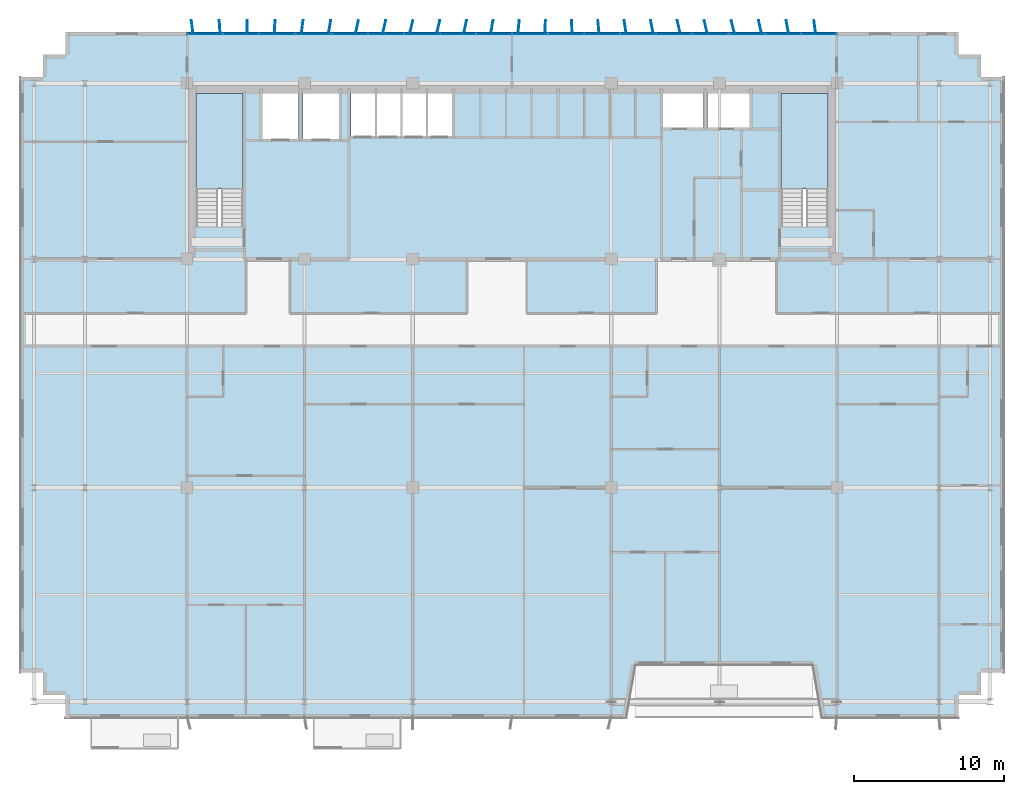
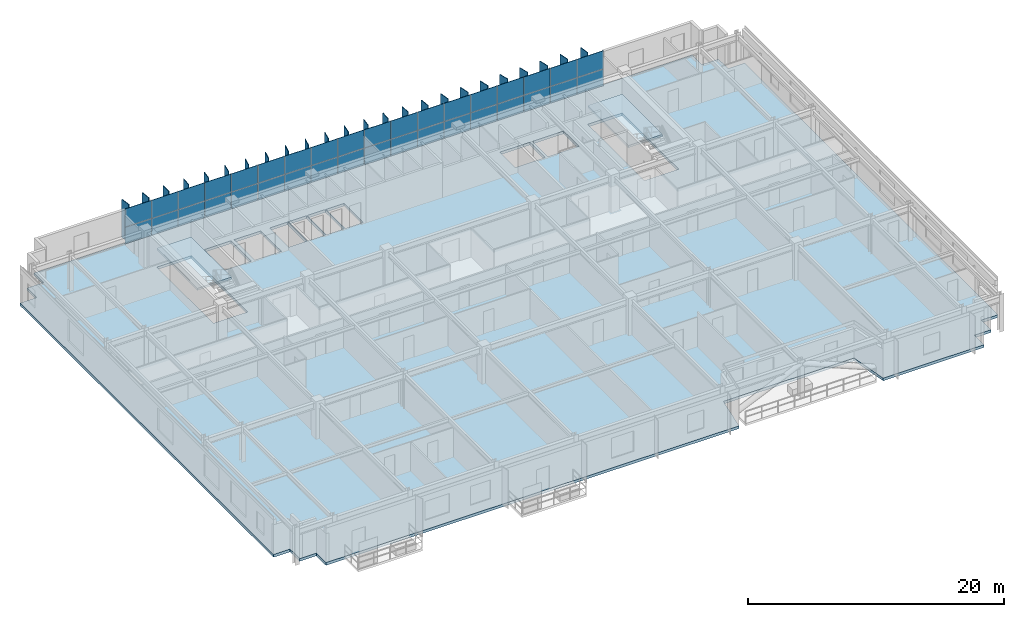
# One storey, part 13 of 22: 60 plates, 3 slabs, 3 elements without a shape of their own.
"""IFC4 building model written with IfcOpenShell, lengths in metres."""

from ifc_helpers import new_model, si_unit, direction, frame, origin, origin_2d, place, context, subcontext, project, spatial, polyline, rectangle, outline, extrude, source, transform, mapped, material, layer, layer_set, type_object, element, aggregate, save


model = new_model("IFC4")

# Units and contexts
model_context = context("Model", 3, precision=1e-05, world=origin(), true_north=direction((0.0, 1.0)))
body_context = subcontext(model_context, "Body", "Model", "MODEL_VIEW")
ifc_project = project(units=[si_unit("LENGTHUNIT", "METRE"), si_unit("AREAUNIT", "SQUARE_METRE"), si_unit("VOLUMEUNIT", "CUBIC_METRE"), si_unit("PLANEANGLEUNIT", "RADIAN"), si_unit("MASSUNIT", "GRAM", prefix="KILO")], contexts=[model_context])

# Site, building, storey
site_placement = place(None, origin())
site = spatial("IfcSite", under=ifc_project, at=site_placement, CompositionType="ELEMENT")
building_placement = place(site_placement, origin())
building = spatial("IfcBuilding", under=site, at=building_placement, Name="Trelvane Seafront Commons", CompositionType="ELEMENT")
storey_placement = place(building_placement, frame((0.0, 0.0, 121.300048828125)))
storey = spatial("IfcBuildingStorey", under=building, at=storey_placement, Name="L31", CompositionType="ELEMENT", Elevation=121.300048828125)

# Stair, slab
ifc_material_1 = material(Name="Concrete C40/50", Category="concrete")
stair_type_1 = type_object("IfcStairType", Name="ARCH-STR-ST-1-R20-180", PredefinedType="HALF_TURN_STAIR", material=ifc_material_1)
stair_1_placement = place(storey_placement, origin())
stair_1 = element("IfcStair", 1, at=stair_1_placement, inside=storey, type_object=stair_type_1, Name="L31 West Protected Firefighting Exit Stair ST-1", PredefinedType="HALF_TURN_STAIR")
ifc_layer_1 = layer(ifc_material_1, 0.199951171875, Name="ARCH-LND-200")
ifc_layer_set_1 = layer_set([ifc_layer_1], Name="Concrete C40/50")
slab_type_1 = type_object("IfcSlabType", Name="ARCH-LND-200", PredefinedType="LANDING", material=ifc_layer_set_1)
slab_1_placement = place(storey_placement, frame((0.0, 0.0, 1.599853515625)))
slab_1 = element("IfcSlab", 2, at=slab_1_placement, type_object=slab_type_1, Name="ST-1 landing 1", PredefinedType="LANDING", context=body_context, shape_type="SweptSolid", body=[
    extrude(outline(polyline([(19.300048828125, 38.070068359375), (19.300048828125, 44.39990234375), (16.199951171875, 44.39990234375), (16.199951171875, 38.070068359375), (19.300048828125, 38.070068359375)])), origin(), (0.0, 0.0, 1.0), 0.2001953125),
])
aggregate(stair_1, [slab_1])

stair_type_2 = type_object("IfcStairType", Name="ARCH-STR-ST-2-R20-180", PredefinedType="HALF_TURN_STAIR", material=ifc_material_1)
stair_2_placement = place(storey_placement, origin())
stair_2 = element("IfcStair", 3, at=stair_2_placement, inside=storey, type_object=stair_type_2, Name="L31 East Protected Firefighting Exit Stair ST-2", PredefinedType="HALF_TURN_STAIR")
slab_2_placement = place(storey_placement, frame((0.0, 0.0, 1.599853515625)))
slab_2 = element("IfcSlab", 4, at=slab_2_placement, type_object=slab_type_1, Name="ST-2 landing 1", PredefinedType="LANDING", context=body_context, shape_type="SweptSolid", body=[
    extrude(outline(polyline([(58.199951171875, 38.070068359375), (58.199951171875, 44.39990234375), (55.10009765625, 44.39990234375), (55.10009765625, 38.070068359375), (58.199951171875, 38.070068359375)])), origin(), (0.0, 0.0, 1.0), 0.2001953125),
])
aggregate(stair_2, [slab_2])

# Slab
ifc_material_2 = material(Name="Concrete C50/60", Category="concrete")
ifc_layer_2 = layer(ifc_material_2, 0.260009765625, Name="STR-SLB-Z1-260")
ifc_layer_set_2 = layer_set([ifc_layer_2], Name="Concrete C50/60")
slab_type_2 = type_object("IfcSlabType", Name="STR-SLB-Z1-260", PredefinedType="FLOOR", material=ifc_layer_set_2)
slab_3_placement = place(storey_placement, frame((0.0, 0.0, -0.260009765625)))
element("IfcSlab", 5, at=slab_3_placement, inside=storey, type_object=slab_type_2, Name="L31 Structural Floor Slab", PredefinedType="FLOOR", context=body_context, shape_type="SweptSolid", body=[
    extrude(outline(polyline([(7.5, 2.89990234375), (44.800048828125, 2.89990234375), (45.39990234375, 6.39990234375), (57.199951171875, 6.39990234375), (57.800048828125, 2.89990234375), (66.89990234375, 2.89990234375), (66.89990234375, 4.39990234375), (68.39990234375, 4.39990234375), (68.39990234375, 5.89990234375), (69.89990234375, 5.89990234375), (69.89990234375, 45.5), (68.39990234375, 45.5), (68.39990234375, 47.0), (66.89990234375, 47.0), (66.89990234375, 48.5), (7.5, 48.5), (7.5, 47.0), (6.0, 47.0), (6.0, 45.5), (4.5, 45.5), (4.5, 5.89990234375), (6.0, 5.89990234375), (6.0, 4.39990234375), (7.5, 4.39990234375), (7.5, 2.89990234375)]), holes=[polyline([(19.300048828125, 35.550048828125), (16.199951171875, 35.550048828125), (16.199951171875, 44.39990234375), (19.300048828125, 44.39990234375), (19.300048828125, 35.550048828125)]), polyline([(58.199951171875, 35.550048828125), (55.10009765625, 35.550048828125), (55.10009765625, 44.39990234375), (58.199951171875, 44.39990234375), (58.199951171875, 35.550048828125)]), polyline([(23.0, 41.39990234375), (20.60009765625, 41.39990234375), (20.60009765625, 44.60009765625), (23.0, 44.60009765625), (23.0, 41.39990234375)]), polyline([(23.300048828125, 41.39990234375), (23.300048828125, 44.60009765625), (25.699951171875, 44.60009765625), (25.699951171875, 41.39990234375), (23.300048828125, 41.39990234375)]), polyline([(26.5, 41.60009765625), (26.5, 44.60009765625), (28.1201171875, 44.60009765625), (28.1201171875, 41.60009765625), (26.5, 41.60009765625)]), polyline([(29.820068359375, 41.60009765625), (28.199951171875, 41.60009765625), (28.199951171875, 44.60009765625), (29.820068359375, 44.60009765625), (29.820068359375, 41.60009765625)]), polyline([(31.52001953125, 41.60009765625), (29.89990234375, 41.60009765625), (29.89990234375, 44.60009765625), (31.52001953125, 44.60009765625), (31.52001953125, 41.60009765625)]), polyline([(33.219970703125, 41.60009765625), (31.60009765625, 41.60009765625), (31.60009765625, 44.60009765625), (33.219970703125, 44.60009765625), (33.219970703125, 41.60009765625)]), polyline([(47.25, 42.14990234375), (47.25, 44.550048828125), (49.949951171875, 44.550048828125), (49.949951171875, 42.14990234375), (47.25, 42.14990234375)]), polyline([(50.199951171875, 42.14990234375), (50.199951171875, 44.550048828125), (53.0, 44.550048828125), (53.0, 42.14990234375), (50.199951171875, 42.14990234375)])]), origin(), (0.0, 0.0, 1.0), 0.260009765625),
])

# Plates
ifc_material_3 = material(Name="Anodised pale-silver aluminium", Category="aluminium")
ifc_layer_3 = layer(ifc_material_3, 0.06005859375, Name="ARCH-PLATE-FIN900")
ifc_layer_set_3 = layer_set([ifc_layer_3], Name="Anodised pale-silver aluminium")
plate_type_1 = type_object("IfcPlateType", Name="ARCH-PLATE-FIN900", PredefinedType="USERDEFINED", material=ifc_layer_set_3)
shared_shape_1 = source(origin(), body_context, "Body", "SweptSolid", [
    extrude(rectangle(XDim=0.89990234375, YDim=0.06005859375, at=origin_2d()), origin(), (0.0, 0.0, 1.0), 3.639892578125),
])
for number, where, z_axis, x_axis, name in (
    (6, (17.7685546875, 48.848876953125, -0.02001953125), (0.0, 0.0, 1.0), (-0.069779107736, 0.997562467279, 0.0), "FIN-L31-00813"),
    (7, (19.59814453125, 48.85009765625, -0.02001953125), (0.0, 0.0, 1.0), (-0.004110238815, 0.999991552933, 0.0), "FIN-L31-00814"),
    (8, (21.427734375, 48.84912109375, -0.02001953125), (0.0, 0.0, 1.0), (0.061886455451, 0.998083196248, 0.0), "FIN-L31-00815"),
    (9, (23.25537109375, 48.8466796875, -0.02001953125), (0.0, 0.0, 1.0), (0.123104392765, 0.992393726543, 0.0), "FIN-L31-00816"),
    (10, (25.07861328125, 48.843017578125, -0.02001953125), (0.0, 0.0, 1.0), (0.174894178306, 0.984587236559, 0.0), "FIN-L31-00817"),
    (11, (26.89599609375, 48.839599609375, -0.02001953125), (0.0, 0.0, 1.0), (0.213328797922, 0.976980462434, 0.0), "FIN-L31-00818"),
    (12, (28.706298828125, 48.83740234375, -0.02001953125), (0.0, 0.0, 1.0), (0.236098764093, 0.971729063882, 0.0), "FIN-L31-00819"),
    (13, (30.5087890625, 48.836669921875, -0.02001953125), (0.0, 0.0, 1.0), (0.24156794104, 0.970383908493, 0.0), "FIN-L31-00820"),
    (14, (32.30322265625, 48.837890625, -0.02001953125), (0.0, 0.0, 1.0), (0.229546945315, 0.973297590615, 0.0), "FIN-L31-00821"),
    (15, (34.090087890625, 48.8408203125, -0.02001953125), (0.0, 0.0, 1.0), (0.20055814974, 0.979681799654, 0.0), "FIN-L31-00822"),
    (16, (35.87060546875, 48.844482421875, -0.02001953125), (0.0, 0.0, 1.0), (0.156663731723, 0.987652001042, 0.0), "FIN-L31-00823"),
    (17, (37.6455078125, 48.84765625, -0.02001953125), (0.0, 0.0, 1.0), (0.100889601902, 0.994897627009, 0.0), "FIN-L31-00824"),
    (18, (39.416748046875, 48.849609375, -0.02001953125), (0.0, 0.0, 1.0), (0.03733264199, 0.999302893943, 0.0), "FIN-L31-00825"),
    (19, (41.186767578125, 48.849853515625, -0.02001953125), (0.0, 0.0, 1.0), (-0.029223122675, 0.999572913349, 0.0), "FIN-L31-00826"),
    (20, (42.9580078125, 48.84814453125, -0.02001953125), (0.0, 0.0, 1.0), (-0.0934410602, 0.995624813004, 0.0), "FIN-L31-00827"),
    (21, (44.732421875, 48.844970703125, -0.02001953125), (0.0, 0.0, 1.0), (-0.150437824963, 0.988619472204, 0.0), "FIN-L31-00828"),
    (22, (48.2978515625, 48.83837890625, -0.02001953125), (0.0, 0.0, 1.0), (-0.226896087135, 0.973918972832, 0.0), "FIN-L31-00830"),
    (23, (51.89306640625, 48.837158203125, -0.02001953125), (0.0, 0.0, 1.0), (-0.237774047557, 0.971320494126, 0.0), "FIN-L31-00832"),
    (24, (53.702392578125, 48.839111328125, -0.02001953125), (0.0, 0.0, 1.0), (-0.217119440635, 0.976145044805, 0.0), "FIN-L31-00833"),
    (25, (55.518798828125, 48.842529296875, -0.02001953125), (0.0, 0.0, 1.0), (-0.18034232676, 0.983603906651, 0.0), "FIN-L31-00834"),
):
    element("IfcPlate", number, at=place(storey_placement, frame(where, z_axis=z_axis, x_axis=x_axis)), inside=storey, type_object=plate_type_1, Name=name, ObjectType="FIN", PredefinedType="USERDEFINED", context=body_context, shape_type="MappedRepresentation", body=[
        mapped(shared_shape_1, transform((0.0, 0.0, 0.0), x_axis=(1.0, 0.0, 0.0), y_axis=(0.0, 1.0, 0.0), z_axis=(0.0, 0.0, 1.0), scale=1.0)),
    ])
shared_shape_2 = source(origin(), body_context, "Body", "SweptSolid", [
    extrude(rectangle(XDim=0.900146484375, YDim=0.06005859375, at=origin_2d()), origin(), (0.0, 0.0, 1.0), 3.639892578125),
])
for number, where, z_axis, x_axis, name in (
    (26, (15.94140625, 48.84619140625, -0.02001953125), (0.0, 0.0, 1.0), (-0.130103963354, 0.991500357398, 0.0), "FIN-L31-00812"),
    (27, (46.51171875, 48.84130859375, -0.02001953125), (0.0, 0.0, 1.0), (-0.195987219961, 0.980606449913, 0.0), "FIN-L31-00829"),
    (28, (50.091552734375, 48.836669921875, -0.02001953125), (0.0, 0.0, 1.0), (-0.241097080864, 0.970501003399, 0.0), "FIN-L31-00831"),
    (29, (57.34130859375, 48.84619140625, -0.02001953125), (0.0, 0.0, 1.0), (-0.130103963354, 0.991500357398, 0.0), "FIN-L31-00835"),
):
    element("IfcPlate", number, at=place(storey_placement, frame(where, z_axis=z_axis, x_axis=x_axis)), inside=storey, type_object=plate_type_1, Name=name, ObjectType="FIN", PredefinedType="USERDEFINED", context=body_context, shape_type="MappedRepresentation", body=[
        mapped(shared_shape_2, transform((0.0, 0.0, 0.0), x_axis=(1.0, 0.0, 0.0), y_axis=(0.0, 1.0, 0.0), z_axis=(0.0, 0.0, 1.0), scale=1.0)),
    ])

# Curtain wall, plates
curtain_wall_type = type_object("IfcCurtainWallType", Name="ARCH-CW4-SKYLOBBY", PredefinedType="NOTDEFINED", material=ifc_material_3)
curtain_wall_placement = place(storey_placement, origin())
curtain_wall = element("IfcCurtainWall", 30, at=curtain_wall_placement, inside=storey, type_object=curtain_wall_type, Name="CW-L31-0056", PredefinedType="NOTDEFINED")
ifc_material_4 = material(Name="Low-E coastal double glazing", Category="glass")
ifc_layer_4 = layer(ifc_material_4, 0.033935546875, Name="ARCH-CW-GLAZ-34")
ifc_layer_set_4 = layer_set([ifc_layer_4], Name="Low-E coastal double glazing")
plate_type_2 = type_object("IfcPlateType", Name="ARCH-CW-GLAZ-34", PredefinedType="CURTAIN_PANEL", material=ifc_layer_set_4)
shared_shape_3 = source(origin(), body_context, "Body", "SweptSolid", [
    extrude(rectangle(XDim=2.3759765625, YDim=0.0400390625, at=origin_2d()), origin(), (0.0, 0.0, 1.0), 1.5849609375),
])
plate_1_placement = place(storey_placement, frame((16.800048828125, 48.3701171875, 0.0), z_axis=(0.0, 0.0, 1.0), x_axis=(1.0, 0.0, 0.0)))
plate_1 = element("IfcPlate", 31, at=plate_1_placement, type_object=plate_type_2, Name="CW-L31-0056-P00-1", PredefinedType="CURTAIN_PANEL", context=body_context, shape_type="MappedRepresentation", body=[
    mapped(shared_shape_3, transform((0.0, 0.0, 0.0), x_axis=(1.0, 0.0, 0.0), y_axis=(0.0, 1.0, 0.0), z_axis=(0.0, 0.0, 1.0), scale=1.0)),
])
plate_2_placement = place(storey_placement, frame((19.199951171875, 48.3701171875, 0.0), z_axis=(0.0, 0.0, 1.0), x_axis=(1.0, 0.0, 0.0)))
plate_2 = element("IfcPlate", 32, at=plate_2_placement, type_object=plate_type_2, Name="CW-L31-0056-P01-1", PredefinedType="CURTAIN_PANEL", context=body_context, shape_type="MappedRepresentation", body=[
    mapped(shared_shape_3, transform((0.0, 0.0, 0.0), x_axis=(1.0, 0.0, 0.0), y_axis=(0.0, 1.0, 0.0), z_axis=(0.0, 0.0, 1.0), scale=1.0)),
])
plate_3_placement = place(storey_placement, frame((21.60009765625, 48.3701171875, 0.0), z_axis=(0.0, 0.0, 1.0), x_axis=(1.0, 0.0, 0.0)))
plate_3 = element("IfcPlate", 33, at=plate_3_placement, type_object=plate_type_2, Name="CW-L31-0056-P02-1", PredefinedType="CURTAIN_PANEL", context=body_context, shape_type="MappedRepresentation", body=[
    mapped(shared_shape_3, transform((0.0, 0.0, 0.0), x_axis=(1.0, 0.0, 0.0), y_axis=(0.0, 1.0, 0.0), z_axis=(0.0, 0.0, 1.0), scale=1.0)),
])
plate_4_placement = place(storey_placement, frame((24.0, 48.3701171875, 0.0), z_axis=(0.0, 0.0, 1.0), x_axis=(1.0, 0.0, 0.0)))
plate_4 = element("IfcPlate", 34, at=plate_4_placement, type_object=plate_type_2, Name="CW-L31-0056-P03-1", PredefinedType="CURTAIN_PANEL", context=body_context, shape_type="MappedRepresentation", body=[
    mapped(shared_shape_3, transform((0.0, 0.0, 0.0), x_axis=(1.0, 0.0, 0.0), y_axis=(0.0, 1.0, 0.0), z_axis=(0.0, 0.0, 1.0), scale=1.0)),
])
plate_5_placement = place(storey_placement, frame((26.39990234375, 48.3701171875, 0.0), z_axis=(0.0, 0.0, 1.0), x_axis=(1.0, 0.0, 0.0)))
plate_5 = element("IfcPlate", 35, at=plate_5_placement, type_object=plate_type_2, Name="CW-L31-0056-P04-1", PredefinedType="CURTAIN_PANEL", context=body_context, shape_type="MappedRepresentation", body=[
    mapped(shared_shape_3, transform((0.0, 0.0, 0.0), x_axis=(1.0, 0.0, 0.0), y_axis=(0.0, 1.0, 0.0), z_axis=(0.0, 0.0, 1.0), scale=1.0)),
])
plate_6_placement = place(storey_placement, frame((28.800048828125, 48.3701171875, 0.0), z_axis=(0.0, 0.0, 1.0), x_axis=(1.0, 0.0, 0.0)))
plate_6 = element("IfcPlate", 36, at=plate_6_placement, type_object=plate_type_2, Name="CW-L31-0056-P05-1", PredefinedType="CURTAIN_PANEL", context=body_context, shape_type="MappedRepresentation", body=[
    mapped(shared_shape_3, transform((0.0, 0.0, 0.0), x_axis=(1.0, 0.0, 0.0), y_axis=(0.0, 1.0, 0.0), z_axis=(0.0, 0.0, 1.0), scale=1.0)),
])
plate_7_placement = place(storey_placement, frame((31.199951171875, 48.3701171875, 0.0), z_axis=(0.0, 0.0, 1.0), x_axis=(1.0, 0.0, 0.0)))
plate_7 = element("IfcPlate", 37, at=plate_7_placement, type_object=plate_type_2, Name="CW-L31-0056-P06-1", PredefinedType="CURTAIN_PANEL", context=body_context, shape_type="MappedRepresentation", body=[
    mapped(shared_shape_3, transform((0.0, 0.0, 0.0), x_axis=(1.0, 0.0, 0.0), y_axis=(0.0, 1.0, 0.0), z_axis=(0.0, 0.0, 1.0), scale=1.0)),
])
plate_8_placement = place(storey_placement, frame((33.60009765625, 48.3701171875, 0.0), z_axis=(0.0, 0.0, 1.0), x_axis=(1.0, 0.0, 0.0)))
plate_8 = element("IfcPlate", 38, at=plate_8_placement, type_object=plate_type_2, Name="CW-L31-0056-P07-1", PredefinedType="CURTAIN_PANEL", context=body_context, shape_type="MappedRepresentation", body=[
    mapped(shared_shape_3, transform((0.0, 0.0, 0.0), x_axis=(1.0, 0.0, 0.0), y_axis=(0.0, 1.0, 0.0), z_axis=(0.0, 0.0, 1.0), scale=1.0)),
])
plate_9_placement = place(storey_placement, frame((36.0, 48.3701171875, 0.0), z_axis=(0.0, 0.0, 1.0), x_axis=(1.0, 0.0, 0.0)))
plate_9 = element("IfcPlate", 39, at=plate_9_placement, type_object=plate_type_2, Name="CW-L31-0056-P08-1", PredefinedType="CURTAIN_PANEL", context=body_context, shape_type="MappedRepresentation", body=[
    mapped(shared_shape_3, transform((0.0, 0.0, 0.0), x_axis=(1.0, 0.0, 0.0), y_axis=(0.0, 1.0, 0.0), z_axis=(0.0, 0.0, 1.0), scale=1.0)),
])
plate_10_placement = place(storey_placement, frame((38.39990234375, 48.3701171875, 0.0), z_axis=(0.0, 0.0, 1.0), x_axis=(1.0, 0.0, 0.0)))
plate_10 = element("IfcPlate", 40, at=plate_10_placement, type_object=plate_type_2, Name="CW-L31-0056-P09-1", PredefinedType="CURTAIN_PANEL", context=body_context, shape_type="MappedRepresentation", body=[
    mapped(shared_shape_3, transform((0.0, 0.0, 0.0), x_axis=(1.0, 0.0, 0.0), y_axis=(0.0, 1.0, 0.0), z_axis=(0.0, 0.0, 1.0), scale=1.0)),
])
plate_11_placement = place(storey_placement, frame((40.800048828125, 48.3701171875, 0.0), z_axis=(0.0, 0.0, 1.0), x_axis=(1.0, 0.0, 0.0)))
plate_11 = element("IfcPlate", 41, at=plate_11_placement, type_object=plate_type_2, Name="CW-L31-0056-P10-1", PredefinedType="CURTAIN_PANEL", context=body_context, shape_type="MappedRepresentation", body=[
    mapped(shared_shape_3, transform((0.0, 0.0, 0.0), x_axis=(1.0, 0.0, 0.0), y_axis=(0.0, 1.0, 0.0), z_axis=(0.0, 0.0, 1.0), scale=1.0)),
])
plate_12_placement = place(storey_placement, frame((43.199951171875, 48.3701171875, 0.0), z_axis=(0.0, 0.0, 1.0), x_axis=(1.0, 0.0, 0.0)))
plate_12 = element("IfcPlate", 42, at=plate_12_placement, type_object=plate_type_2, Name="CW-L31-0056-P11-1", PredefinedType="CURTAIN_PANEL", context=body_context, shape_type="MappedRepresentation", body=[
    mapped(shared_shape_3, transform((0.0, 0.0, 0.0), x_axis=(1.0, 0.0, 0.0), y_axis=(0.0, 1.0, 0.0), z_axis=(0.0, 0.0, 1.0), scale=1.0)),
])
plate_13_placement = place(storey_placement, frame((45.60009765625, 48.3701171875, 0.0), z_axis=(0.0, 0.0, 1.0), x_axis=(1.0, 0.0, 0.0)))
plate_13 = element("IfcPlate", 43, at=plate_13_placement, type_object=plate_type_2, Name="CW-L31-0056-P12-1", PredefinedType="CURTAIN_PANEL", context=body_context, shape_type="MappedRepresentation", body=[
    mapped(shared_shape_3, transform((0.0, 0.0, 0.0), x_axis=(1.0, 0.0, 0.0), y_axis=(0.0, 1.0, 0.0), z_axis=(0.0, 0.0, 1.0), scale=1.0)),
])
plate_14_placement = place(storey_placement, frame((48.0, 48.3701171875, 0.0), z_axis=(0.0, 0.0, 1.0), x_axis=(1.0, 0.0, 0.0)))
plate_14 = element("IfcPlate", 44, at=plate_14_placement, type_object=plate_type_2, Name="CW-L31-0056-P13-1", PredefinedType="CURTAIN_PANEL", context=body_context, shape_type="MappedRepresentation", body=[
    mapped(shared_shape_3, transform((0.0, 0.0, 0.0), x_axis=(1.0, 0.0, 0.0), y_axis=(0.0, 1.0, 0.0), z_axis=(0.0, 0.0, 1.0), scale=1.0)),
])
plate_15_placement = place(storey_placement, frame((50.39990234375, 48.3701171875, 0.0), z_axis=(0.0, 0.0, 1.0), x_axis=(1.0, 0.0, 0.0)))
plate_15 = element("IfcPlate", 45, at=plate_15_placement, type_object=plate_type_2, Name="CW-L31-0056-P14-1", PredefinedType="CURTAIN_PANEL", context=body_context, shape_type="MappedRepresentation", body=[
    mapped(shared_shape_3, transform((0.0, 0.0, 0.0), x_axis=(1.0, 0.0, 0.0), y_axis=(0.0, 1.0, 0.0), z_axis=(0.0, 0.0, 1.0), scale=1.0)),
])
plate_16_placement = place(storey_placement, frame((52.800048828125, 48.3701171875, 0.0), z_axis=(0.0, 0.0, 1.0), x_axis=(1.0, 0.0, 0.0)))
plate_16 = element("IfcPlate", 46, at=plate_16_placement, type_object=plate_type_2, Name="CW-L31-0056-P15-1", PredefinedType="CURTAIN_PANEL", context=body_context, shape_type="MappedRepresentation", body=[
    mapped(shared_shape_3, transform((0.0, 0.0, 0.0), x_axis=(1.0, 0.0, 0.0), y_axis=(0.0, 1.0, 0.0), z_axis=(0.0, 0.0, 1.0), scale=1.0)),
])
plate_17_placement = place(storey_placement, frame((55.199951171875, 48.3701171875, 0.0), z_axis=(0.0, 0.0, 1.0), x_axis=(1.0, 0.0, 0.0)))
plate_17 = element("IfcPlate", 47, at=plate_17_placement, type_object=plate_type_2, Name="CW-L31-0056-P16-1", PredefinedType="CURTAIN_PANEL", context=body_context, shape_type="MappedRepresentation", body=[
    mapped(shared_shape_3, transform((0.0, 0.0, 0.0), x_axis=(1.0, 0.0, 0.0), y_axis=(0.0, 1.0, 0.0), z_axis=(0.0, 0.0, 1.0), scale=1.0)),
])
plate_18_placement = place(storey_placement, frame((57.60009765625, 48.3701171875, 0.0), z_axis=(0.0, 0.0, 1.0), x_axis=(1.0, 0.0, 0.0)))
plate_18 = element("IfcPlate", 48, at=plate_18_placement, type_object=plate_type_2, Name="CW-L31-0056-P17-1", PredefinedType="CURTAIN_PANEL", context=body_context, shape_type="MappedRepresentation", body=[
    mapped(shared_shape_3, transform((0.0, 0.0, 0.0), x_axis=(1.0, 0.0, 0.0), y_axis=(0.0, 1.0, 0.0), z_axis=(0.0, 0.0, 1.0), scale=1.0)),
])
shared_shape_4 = source(origin(), body_context, "Body", "SweptSolid", [
    extrude(rectangle(XDim=2.3759765625, YDim=0.0400390625, at=origin_2d()), origin(), (0.0, 0.0, 1.0), 1.718994140625),
])
plate_19_placement = place(storey_placement, frame((16.800048828125, 48.3701171875, 1.62109375), z_axis=(0.0, 0.0, 1.0), x_axis=(1.0, 0.0, 0.0)))
plate_19 = element("IfcPlate", 49, at=plate_19_placement, type_object=plate_type_2, Name="CW-L31-0056-P00-2", PredefinedType="CURTAIN_PANEL", context=body_context, shape_type="MappedRepresentation", body=[
    mapped(shared_shape_4, transform((0.0, 0.0, 0.0), x_axis=(1.0, 0.0, 0.0), y_axis=(0.0, 1.0, 0.0), z_axis=(0.0, 0.0, 1.0), scale=1.0)),
])
plate_20_placement = place(storey_placement, frame((19.199951171875, 48.3701171875, 1.62109375), z_axis=(0.0, 0.0, 1.0), x_axis=(1.0, 0.0, 0.0)))
plate_20 = element("IfcPlate", 50, at=plate_20_placement, type_object=plate_type_2, Name="CW-L31-0056-P01-2", PredefinedType="CURTAIN_PANEL", context=body_context, shape_type="MappedRepresentation", body=[
    mapped(shared_shape_4, transform((0.0, 0.0, 0.0), x_axis=(1.0, 0.0, 0.0), y_axis=(0.0, 1.0, 0.0), z_axis=(0.0, 0.0, 1.0), scale=1.0)),
])
plate_21_placement = place(storey_placement, frame((21.60009765625, 48.3701171875, 1.62109375), z_axis=(0.0, 0.0, 1.0), x_axis=(1.0, 0.0, 0.0)))
plate_21 = element("IfcPlate", 51, at=plate_21_placement, type_object=plate_type_2, Name="CW-L31-0056-P02-2", PredefinedType="CURTAIN_PANEL", context=body_context, shape_type="MappedRepresentation", body=[
    mapped(shared_shape_4, transform((0.0, 0.0, 0.0), x_axis=(1.0, 0.0, 0.0), y_axis=(0.0, 1.0, 0.0), z_axis=(0.0, 0.0, 1.0), scale=1.0)),
])
plate_22_placement = place(storey_placement, frame((24.0, 48.3701171875, 1.62109375), z_axis=(0.0, 0.0, 1.0), x_axis=(1.0, 0.0, 0.0)))
plate_22 = element("IfcPlate", 52, at=plate_22_placement, type_object=plate_type_2, Name="CW-L31-0056-P03-2", PredefinedType="CURTAIN_PANEL", context=body_context, shape_type="MappedRepresentation", body=[
    mapped(shared_shape_4, transform((0.0, 0.0, 0.0), x_axis=(1.0, 0.0, 0.0), y_axis=(0.0, 1.0, 0.0), z_axis=(0.0, 0.0, 1.0), scale=1.0)),
])
plate_23_placement = place(storey_placement, frame((26.39990234375, 48.3701171875, 1.62109375), z_axis=(0.0, 0.0, 1.0), x_axis=(1.0, 0.0, 0.0)))
plate_23 = element("IfcPlate", 53, at=plate_23_placement, type_object=plate_type_2, Name="CW-L31-0056-P04-2", PredefinedType="CURTAIN_PANEL", context=body_context, shape_type="MappedRepresentation", body=[
    mapped(shared_shape_4, transform((0.0, 0.0, 0.0), x_axis=(1.0, 0.0, 0.0), y_axis=(0.0, 1.0, 0.0), z_axis=(0.0, 0.0, 1.0), scale=1.0)),
])
plate_24_placement = place(storey_placement, frame((28.800048828125, 48.3701171875, 1.62109375), z_axis=(0.0, 0.0, 1.0), x_axis=(1.0, 0.0, 0.0)))
plate_24 = element("IfcPlate", 54, at=plate_24_placement, type_object=plate_type_2, Name="CW-L31-0056-P05-2", PredefinedType="CURTAIN_PANEL", context=body_context, shape_type="MappedRepresentation", body=[
    mapped(shared_shape_4, transform((0.0, 0.0, 0.0), x_axis=(1.0, 0.0, 0.0), y_axis=(0.0, 1.0, 0.0), z_axis=(0.0, 0.0, 1.0), scale=1.0)),
])
plate_25_placement = place(storey_placement, frame((31.199951171875, 48.3701171875, 1.62109375), z_axis=(0.0, 0.0, 1.0), x_axis=(1.0, 0.0, 0.0)))
plate_25 = element("IfcPlate", 55, at=plate_25_placement, type_object=plate_type_2, Name="CW-L31-0056-P06-2", PredefinedType="CURTAIN_PANEL", context=body_context, shape_type="MappedRepresentation", body=[
    mapped(shared_shape_4, transform((0.0, 0.0, 0.0), x_axis=(1.0, 0.0, 0.0), y_axis=(0.0, 1.0, 0.0), z_axis=(0.0, 0.0, 1.0), scale=1.0)),
])
plate_26_placement = place(storey_placement, frame((33.60009765625, 48.3701171875, 1.62109375), z_axis=(0.0, 0.0, 1.0), x_axis=(1.0, 0.0, 0.0)))
plate_26 = element("IfcPlate", 56, at=plate_26_placement, type_object=plate_type_2, Name="CW-L31-0056-P07-2", PredefinedType="CURTAIN_PANEL", context=body_context, shape_type="MappedRepresentation", body=[
    mapped(shared_shape_4, transform((0.0, 0.0, 0.0), x_axis=(1.0, 0.0, 0.0), y_axis=(0.0, 1.0, 0.0), z_axis=(0.0, 0.0, 1.0), scale=1.0)),
])
plate_27_placement = place(storey_placement, frame((36.0, 48.3701171875, 1.62109375), z_axis=(0.0, 0.0, 1.0), x_axis=(1.0, 0.0, 0.0)))
plate_27 = element("IfcPlate", 57, at=plate_27_placement, type_object=plate_type_2, Name="CW-L31-0056-P08-2", PredefinedType="CURTAIN_PANEL", context=body_context, shape_type="MappedRepresentation", body=[
    mapped(shared_shape_4, transform((0.0, 0.0, 0.0), x_axis=(1.0, 0.0, 0.0), y_axis=(0.0, 1.0, 0.0), z_axis=(0.0, 0.0, 1.0), scale=1.0)),
])
plate_28_placement = place(storey_placement, frame((38.39990234375, 48.3701171875, 1.62109375), z_axis=(0.0, 0.0, 1.0), x_axis=(1.0, 0.0, 0.0)))
plate_28 = element("IfcPlate", 58, at=plate_28_placement, type_object=plate_type_2, Name="CW-L31-0056-P09-2", PredefinedType="CURTAIN_PANEL", context=body_context, shape_type="MappedRepresentation", body=[
    mapped(shared_shape_4, transform((0.0, 0.0, 0.0), x_axis=(1.0, 0.0, 0.0), y_axis=(0.0, 1.0, 0.0), z_axis=(0.0, 0.0, 1.0), scale=1.0)),
])
plate_29_placement = place(storey_placement, frame((40.800048828125, 48.3701171875, 1.62109375), z_axis=(0.0, 0.0, 1.0), x_axis=(1.0, 0.0, 0.0)))
plate_29 = element("IfcPlate", 59, at=plate_29_placement, type_object=plate_type_2, Name="CW-L31-0056-P10-2", PredefinedType="CURTAIN_PANEL", context=body_context, shape_type="MappedRepresentation", body=[
    mapped(shared_shape_4, transform((0.0, 0.0, 0.0), x_axis=(1.0, 0.0, 0.0), y_axis=(0.0, 1.0, 0.0), z_axis=(0.0, 0.0, 1.0), scale=1.0)),
])
plate_30_placement = place(storey_placement, frame((43.199951171875, 48.3701171875, 1.62109375), z_axis=(0.0, 0.0, 1.0), x_axis=(1.0, 0.0, 0.0)))
plate_30 = element("IfcPlate", 60, at=plate_30_placement, type_object=plate_type_2, Name="CW-L31-0056-P11-2", PredefinedType="CURTAIN_PANEL", context=body_context, shape_type="MappedRepresentation", body=[
    mapped(shared_shape_4, transform((0.0, 0.0, 0.0), x_axis=(1.0, 0.0, 0.0), y_axis=(0.0, 1.0, 0.0), z_axis=(0.0, 0.0, 1.0), scale=1.0)),
])
plate_31_placement = place(storey_placement, frame((45.60009765625, 48.3701171875, 1.62109375), z_axis=(0.0, 0.0, 1.0), x_axis=(1.0, 0.0, 0.0)))
plate_31 = element("IfcPlate", 61, at=plate_31_placement, type_object=plate_type_2, Name="CW-L31-0056-P12-2", PredefinedType="CURTAIN_PANEL", context=body_context, shape_type="MappedRepresentation", body=[
    mapped(shared_shape_4, transform((0.0, 0.0, 0.0), x_axis=(1.0, 0.0, 0.0), y_axis=(0.0, 1.0, 0.0), z_axis=(0.0, 0.0, 1.0), scale=1.0)),
])
plate_32_placement = place(storey_placement, frame((48.0, 48.3701171875, 1.62109375), z_axis=(0.0, 0.0, 1.0), x_axis=(1.0, 0.0, 0.0)))
plate_32 = element("IfcPlate", 62, at=plate_32_placement, type_object=plate_type_2, Name="CW-L31-0056-P13-2", PredefinedType="CURTAIN_PANEL", context=body_context, shape_type="MappedRepresentation", body=[
    mapped(shared_shape_4, transform((0.0, 0.0, 0.0), x_axis=(1.0, 0.0, 0.0), y_axis=(0.0, 1.0, 0.0), z_axis=(0.0, 0.0, 1.0), scale=1.0)),
])
plate_33_placement = place(storey_placement, frame((50.39990234375, 48.3701171875, 1.62109375), z_axis=(0.0, 0.0, 1.0), x_axis=(1.0, 0.0, 0.0)))
plate_33 = element("IfcPlate", 63, at=plate_33_placement, type_object=plate_type_2, Name="CW-L31-0056-P14-2", PredefinedType="CURTAIN_PANEL", context=body_context, shape_type="MappedRepresentation", body=[
    mapped(shared_shape_4, transform((0.0, 0.0, 0.0), x_axis=(1.0, 0.0, 0.0), y_axis=(0.0, 1.0, 0.0), z_axis=(0.0, 0.0, 1.0), scale=1.0)),
])
plate_34_placement = place(storey_placement, frame((52.800048828125, 48.3701171875, 1.62109375), z_axis=(0.0, 0.0, 1.0), x_axis=(1.0, 0.0, 0.0)))
plate_34 = element("IfcPlate", 64, at=plate_34_placement, type_object=plate_type_2, Name="CW-L31-0056-P15-2", PredefinedType="CURTAIN_PANEL", context=body_context, shape_type="MappedRepresentation", body=[
    mapped(shared_shape_4, transform((0.0, 0.0, 0.0), x_axis=(1.0, 0.0, 0.0), y_axis=(0.0, 1.0, 0.0), z_axis=(0.0, 0.0, 1.0), scale=1.0)),
])
plate_35_placement = place(storey_placement, frame((55.199951171875, 48.3701171875, 1.62109375), z_axis=(0.0, 0.0, 1.0), x_axis=(1.0, 0.0, 0.0)))
plate_35 = element("IfcPlate", 65, at=plate_35_placement, type_object=plate_type_2, Name="CW-L31-0056-P16-2", PredefinedType="CURTAIN_PANEL", context=body_context, shape_type="MappedRepresentation", body=[
    mapped(shared_shape_4, transform((0.0, 0.0, 0.0), x_axis=(1.0, 0.0, 0.0), y_axis=(0.0, 1.0, 0.0), z_axis=(0.0, 0.0, 1.0), scale=1.0)),
])
plate_36_placement = place(storey_placement, frame((57.60009765625, 48.3701171875, 1.62109375), z_axis=(0.0, 0.0, 1.0), x_axis=(1.0, 0.0, 0.0)))
plate_36 = element("IfcPlate", 66, at=plate_36_placement, type_object=plate_type_2, Name="CW-L31-0056-P17-2", PredefinedType="CURTAIN_PANEL", context=body_context, shape_type="MappedRepresentation", body=[
    mapped(shared_shape_4, transform((0.0, 0.0, 0.0), x_axis=(1.0, 0.0, 0.0), y_axis=(0.0, 1.0, 0.0), z_axis=(0.0, 0.0, 1.0), scale=1.0)),
])
aggregate(curtain_wall, [plate_1, plate_19, plate_2, plate_20, plate_3, plate_21, plate_4, plate_22, plate_5, plate_23, plate_6, plate_24, plate_7, plate_25, plate_8, plate_26, plate_9, plate_27, plate_10, plate_28, plate_11, plate_29, plate_12, plate_30, plate_13, plate_31, plate_14, plate_32, plate_15, plate_33, plate_16, plate_34, plate_17, plate_35, plate_18, plate_36])

save(model, "model.ifc")
